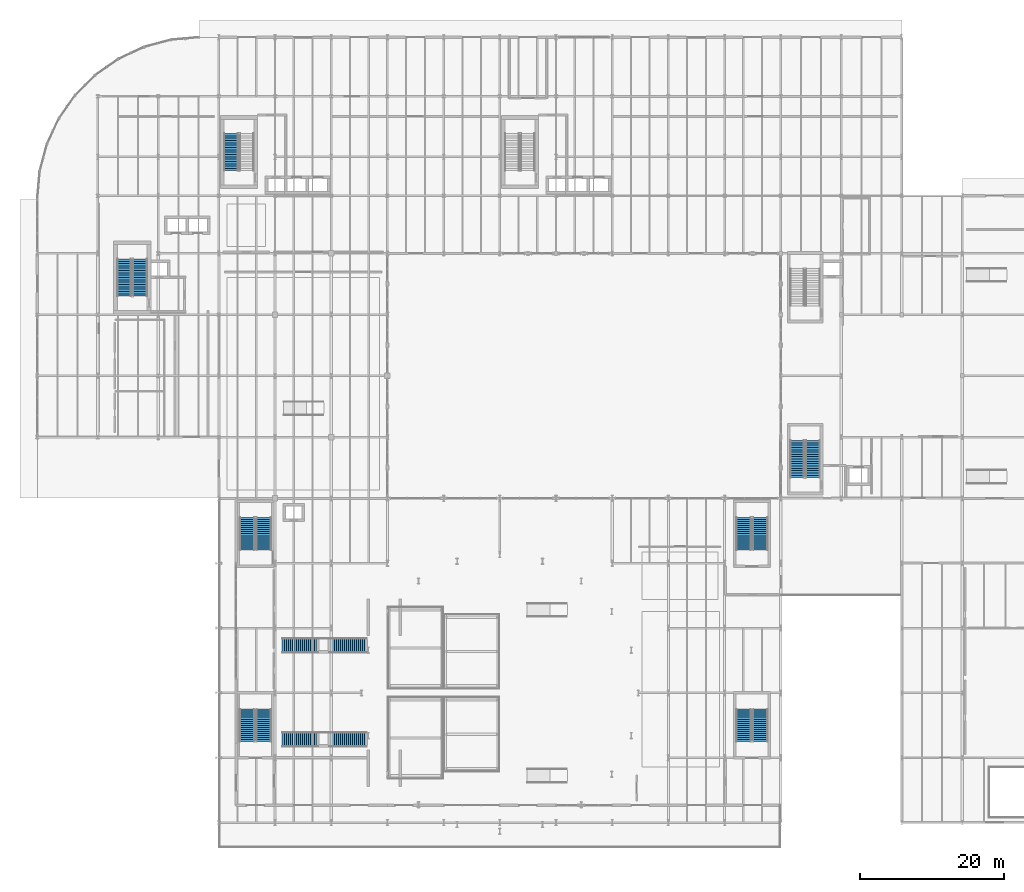
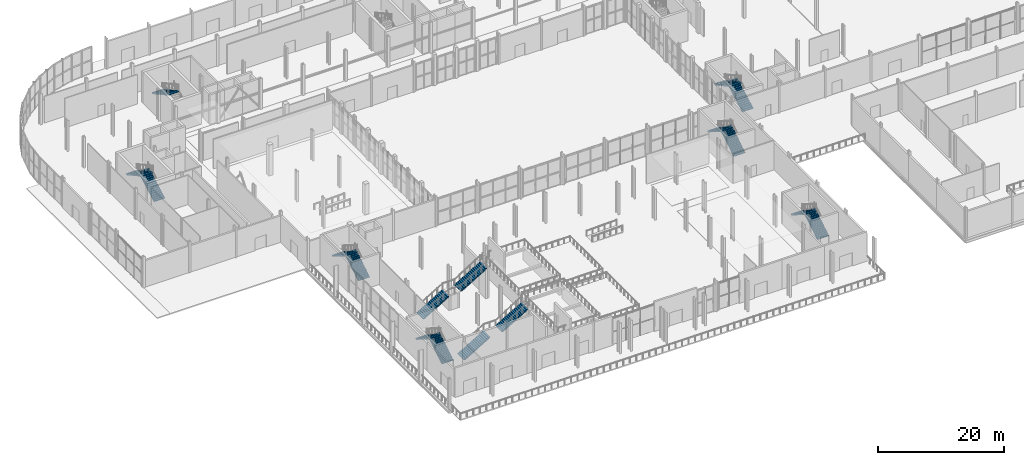
# One storey, part 64 of 84: 17 stair flights, 9 elements without a shape of their own.
"""IFC4 building model written with IfcOpenShell, lengths in metres."""

import ifcopenshell
import ifcopenshell.guid

model = None  # the IFC model being written
_history = None  # IfcOwnerHistory: only IFC2X3 demands one
_inside = {}  # id of a spatial element -> (the spatial element, [elements in it])
_under = {}  # id of a project, library or spatial element -> (it, [spatial elements below it])
_declared = {}  # id of a project -> (the project, [libraries it declares])
_typed = {}  # id of a type object -> (the type object, [elements of that type])
_made_of = {}  # id of a material, layer set ... -> (it, [elements and type objects made of it])


def new_model(schema):
    """Start an empty IFC model of exactly this schema.

    Asked for "IFC4X3", IfcOpenShell would pick the latest addendum, in which some entities
    have other attributes; the version numbers below select the first issue.
    IFC2X3 requires an IfcOwnerHistory on every rooted entity: one is made here for all.
    """
    global model, _history
    if schema == "IFC4X3":
        model = ifcopenshell.file(schema_version=(4, 3, 0, 0))
    else:
        model = ifcopenshell.file(schema=schema)
    _inside.clear()
    _under.clear()
    _declared.clear()
    _typed.clear()
    _made_of.clear()
    _history = None
    if model.schema == "IFC2X3":
        org = make("IfcOrganization", Name="unknown")
        user = make(
            "IfcPersonAndOrganization",
            ThePerson=make("IfcPerson", FamilyName="unknown"),
            TheOrganization=org,
        )
        app = make(
            "IfcApplication",
            ApplicationDeveloper=org,
            Version="unknown",
            ApplicationFullName="unknown",
            ApplicationIdentifier="unknown",
        )
        _history = make(
            "IfcOwnerHistory",
            OwningUser=user,
            OwningApplication=app,
            ChangeAction="ADDED",
            CreationDate=0,
        )
    return model


def make(cls, **values):
    """One entity of the class cls with the attributes given. An attribute that is None is left unset."""
    return model.create_entity(
        cls, **{name: value for name, value in values.items() if value is not None}
    )


def rooted(cls, **values):
    """An entity with a GlobalId (a new one), such as an element, a storey or a relation."""
    return make(cls, GlobalId=ifcopenshell.guid.new(), OwnerHistory=_history, **values)


def si_unit(unit_type, name, prefix=None):
    """IfcSIUnit, for example si_unit("LENGTHUNIT", "METRE", prefix="MILLI")."""
    return make("IfcSIUnit", UnitType=unit_type, Prefix=prefix, Name=name)


def assignment(units):
    """IfcUnitAssignment: the units of a project."""
    return None if units is None else make("IfcUnitAssignment", Units=units)


def point(xyz):
    """IfcCartesianPoint."""
    return None if xyz is None else make("IfcCartesianPoint", Coordinates=xyz)


def direction(xyz):
    """IfcDirection."""
    return None if xyz is None else make("IfcDirection", DirectionRatios=xyz)


def frame(location, z_axis=None, x_axis=None):
    """IfcAxis2Placement3D, a coordinate frame: its origin and axes. An axis left out is left unset."""
    return make(
        "IfcAxis2Placement3D",
        Location=point(location),
        Axis=direction(z_axis),
        RefDirection=direction(x_axis),
    )


def origin():
    """The frame at (0, 0, 0) with its axes left unset."""
    return frame((0.0, 0.0, 0.0))


def place(relative_to, where):
    """IfcLocalPlacement: puts the frame where relative to a parent placement (None: the world)."""
    return make(
        "IfcLocalPlacement", PlacementRelTo=relative_to, RelativePlacement=where
    )


def context(
    kind, dimensions, precision=None, world=None, true_north=None, identifier=None
):
    """IfcGeometricRepresentationContext, for example the 3D "Model" context."""
    return make(
        "IfcGeometricRepresentationContext",
        ContextIdentifier=identifier,
        ContextType=kind,
        CoordinateSpaceDimension=dimensions,
        Precision=precision,
        WorldCoordinateSystem=world,
        TrueNorth=true_north,
    )


def subcontext(parent, identifier, kind, view, scale=None):
    """IfcGeometricRepresentationSubContext, for example "Body" below "Model"."""
    return make(
        "IfcGeometricRepresentationSubContext",
        ContextIdentifier=identifier,
        ContextType=kind,
        ParentContext=parent,
        TargetScale=scale,
        TargetView=view,
    )


def project(units=None, contexts=None):
    """IfcProject with its units and contexts."""
    return rooted(
        "IfcProject",
        Name="project",
        RepresentationContexts=contexts,
        UnitsInContext=assignment(units),
    )


def spatial(cls, under=None, at=None, **own):
    """A site, building, storey or space (cls), placed at a placement, below another one or the project."""
    s = rooted(cls, ObjectPlacement=at, **own)
    if under is not None:
        _under.setdefault(under.id(), (under, []))[1].append(s)
    return s


def polyline(points):
    """IfcPolyline through the points."""
    return make("IfcPolyline", Points=[point(p) for p in points])


def outline(outer, holes=None, kind="AREA"):
    """IfcArbitraryClosedProfileDef: a profile drawn as a closed curve; with holes, ...WithVoids."""
    if holes is None:
        return make("IfcArbitraryClosedProfileDef", ProfileType=kind, OuterCurve=outer)
    return make(
        "IfcArbitraryProfileDefWithVoids",
        ProfileType=kind,
        OuterCurve=outer,
        InnerCurves=holes,
    )


def extrude(swept, where, along, depth):
    """IfcExtrudedAreaSolid: the profile swept, set in the frame where, extruded along a direction by depth."""
    return make(
        "IfcExtrudedAreaSolid",
        SweptArea=swept,
        Position=where,
        ExtrudedDirection=direction(along),
        Depth=depth,
    )


def shape(context_of_items, identifier, shape_type, items):
    """IfcShapeRepresentation: the items that make up one representation, for example the "Body"."""
    return make(
        "IfcShapeRepresentation",
        ContextOfItems=context_of_items,
        RepresentationIdentifier=identifier,
        RepresentationType=shape_type,
        Items=items,
    )


def material(Name=None, Category=None):
    """IfcMaterial."""
    return make("IfcMaterial", Name=Name, Category=Category)


def made_of(thing, what):
    """Note that an element or type object is made of a material, layer set ...; save() writes the relation."""
    if what is not None:
        _made_of.setdefault(what.id(), (what, []))[1].append(thing)
    return thing


def type_object(cls, material=None, **own):
    """A type object (cls), such as IfcWallType, which elements share."""
    return made_of(rooted(cls, **own), material)


def element(
    cls,
    number,
    at=None,
    inside=None,
    cuts=None,
    type_object=None,
    material=None,
    context=None,
    identifier="Body",
    shape_type=None,
    held_by="IfcProductDefinitionShape",
    body=None,
    shapes=None,
    **own,
):
    """One element of the class cls, such as IfcWall. Its Tag is "e" and its number.

    at: its placement. inside: the storey or other place that contains it. cuts: it is an
    opening in that element (IfcRelVoidsElement). A single representation is given by context,
    identifier, shape_type and body (its items); several are given by shapes. held_by: the class
    of the entity that holds the representations. save() writes the other relations.
    """
    e = rooted(cls, Tag="e%d" % number, ObjectPlacement=at, **own)
    if body is not None:
        shapes = [shape(context, identifier, shape_type, body)]
    if shapes is not None:
        e.Representation = make(held_by, Representations=shapes)
    if inside is not None:
        _inside.setdefault(inside.id(), (inside, []))[1].append(e)
    if cuts is not None:
        rooted(
            "IfcRelVoidsElement", RelatingBuildingElement=cuts, RelatedOpeningElement=e
        )
    if type_object is not None:
        _typed.setdefault(type_object.id(), (type_object, []))[1].append(e)
    return made_of(e, material)


def aggregate(whole, parts):
    """IfcRelAggregates: a whole, such as a stair, and the parts it consists of."""
    return rooted("IfcRelAggregates", RelatingObject=whole, RelatedObjects=parts)


def save(model, path):
    """Write the relations noted so far, then the file.

    IfcRelAggregates (storeys below a building ...), IfcRelContainedInSpatialStructure (elements
    in a storey), IfcRelDefinesByType, IfcRelAssociatesMaterial and IfcRelDeclares: one each for
    every whole, place, type object, material and project.
    """
    for whole, parts in _under.values():
        aggregate(whole, parts)
    for where, things in _inside.values():
        rooted(
            "IfcRelContainedInSpatialStructure",
            RelatedElements=things,
            RelatingStructure=where,
        )
    for kind, things in _typed.values():
        rooted("IfcRelDefinesByType", RelatedObjects=things, RelatingType=kind)
    for what, things in _made_of.values():
        rooted("IfcRelAssociatesMaterial", RelatedObjects=things, RelatingMaterial=what)
    for by, libraries in _declared.values():
        rooted("IfcRelDeclares", RelatingContext=by, RelatedDefinitions=libraries)
    model.write(path)


model = new_model("IFC4")

# Units and contexts
model_context = context("Model", 3, precision=1e-05, world=origin(), true_north=direction((0.0, 1.0)))
body_context = subcontext(model_context, "Body", "Model", "MODEL_VIEW")
ifc_project = project(units=[si_unit("LENGTHUNIT", "METRE"), si_unit("AREAUNIT", "SQUARE_METRE"), si_unit("VOLUMEUNIT", "CUBIC_METRE"), si_unit("PLANEANGLEUNIT", "RADIAN"), si_unit("MASSUNIT", "GRAM", prefix="KILO")], contexts=[model_context])

# Site, building, storey
site_placement = place(None, origin())
site = spatial("IfcSite", under=ifc_project, at=site_placement, CompositionType="ELEMENT")
building_placement = place(site_placement, origin())
building = spatial("IfcBuilding", under=site, at=building_placement, Name="Sefraquen Railside Congress Hotel", CompositionType="ELEMENT")
storey_placement = place(building_placement, origin())
storey = spatial("IfcBuildingStorey", under=building, at=storey_placement, Name="L00", CompositionType="ELEMENT", Elevation=0.0)

# Stair, stair flights
ifc_material = material(Name="Concrete C40/50", Category="concrete")
stair_type_1 = type_object("IfcStairType", Name="TST-DOG-198-360", PredefinedType="HALF_TURN_STAIR", material=ifc_material)
stair_1_placement = place(storey_placement, origin())
stair_1 = element("IfcStair", 1, at=stair_1_placement, inside=storey, type_object=stair_type_1, Name="L00 Pressurized escape stair ST-H01", PredefinedType="HALF_TURN_STAIR")
stair_flight_type_1 = type_object("IfcStairFlightType", Name="TSF-FLT-198-360", PredefinedType="STRAIGHT", material=ifc_material)
stair_flight_1_placement = place(storey_placement, frame((14.27001953125, 82.080078125, 0.0), z_axis=(0.0, 0.0, 1.0), x_axis=(0.0, 1.0, 0.0)))
stair_flight_1 = element("IfcStairFlight", 2, at=stair_flight_1_placement, type_object=stair_flight_type_1, Name="ST-H01 flight 1", NumberOfRisers=17, NumberOfTreads=16, PredefinedType="STRAIGHT", RiserHeight=0.176470588, TreadLength=0.322, context=body_context, shape_type="SweptSolid", body=[
    extrude(outline(polyline([(0.0, 0.0), (0.0, 0.176513671875), (0.322021484375, 0.176513671875), (0.322021484375, 0.35302734375), (0.64404296875, 0.35302734375), (0.64404296875, 0.529296875), (0.966064453125, 0.529296875), (0.966064453125, 0.705810546875), (1.2880859375, 0.705810546875), (1.2880859375, 0.88232421875), (1.610107421875, 0.88232421875), (1.610107421875, 1.058837890625), (1.931884765625, 1.058837890625), (1.931884765625, 1.2353515625), (2.25390625, 1.2353515625), (2.25390625, 1.411865234375), (2.575927734375, 1.411865234375), (2.575927734375, 1.588134765625), (2.89794921875, 1.588134765625), (2.89794921875, 1.7646484375), (3.219970703125, 1.7646484375), (3.219970703125, 1.941162109375), (3.5419921875, 1.941162109375), (3.5419921875, 2.11767578125), (3.864013671875, 2.11767578125), (3.864013671875, 2.294189453125), (4.18603515625, 2.294189453125), (4.18603515625, 2.470703125), (4.508056640625, 2.470703125), (4.508056640625, 2.64697265625), (4.830078125, 2.64697265625), (4.830078125, 2.823486328125), (5.152099609375, 2.823486328125), (5.152099609375, 3.0), (5.152099609375, 2.652587890625), (0.31201171875, 0.0), (0.0, 0.0)])), frame((0.0, 0.989990234375, 0.0), z_axis=(0.0, -1.0, 0.0), x_axis=(1.0, 0.0, 0.0)), (0.0, 0.0, 1.0), 1.97998046875),
])
stair_flight_2_placement = place(storey_placement, frame((12.090087890625, 87.23193359375, 3.0), z_axis=(0.0, 0.0, 1.0), x_axis=(0.0, -1.0, 0.0)))
stair_flight_2 = element("IfcStairFlight", 3, at=stair_flight_2_placement, type_object=stair_flight_type_1, Name="ST-H01 flight 2", NumberOfRisers=17, NumberOfTreads=16, PredefinedType="STRAIGHT", RiserHeight=0.176470588, TreadLength=0.322, context=body_context, shape_type="SweptSolid", body=[
    extrude(outline(polyline([(0.0, 0.0), (0.0, 0.176513671875), (0.322021484375, 0.176513671875), (0.322021484375, 0.35302734375), (0.64404296875, 0.35302734375), (0.64404296875, 0.529296875), (0.966064453125, 0.529296875), (0.966064453125, 0.705810546875), (1.2880859375, 0.705810546875), (1.2880859375, 0.88232421875), (1.610107421875, 0.88232421875), (1.610107421875, 1.058837890625), (1.931884765625, 1.058837890625), (1.931884765625, 1.2353515625), (2.25390625, 1.2353515625), (2.25390625, 1.411865234375), (2.575927734375, 1.411865234375), (2.575927734375, 1.588134765625), (2.89794921875, 1.588134765625), (2.89794921875, 1.7646484375), (3.219970703125, 1.7646484375), (3.219970703125, 1.941162109375), (3.5419921875, 1.941162109375), (3.5419921875, 2.11767578125), (3.864013671875, 2.11767578125), (3.864013671875, 2.294189453125), (4.18603515625, 2.294189453125), (4.18603515625, 2.470703125), (4.508056640625, 2.470703125), (4.508056640625, 2.64697265625), (4.830078125, 2.64697265625), (4.830078125, 2.823486328125), (5.152099609375, 2.823486328125), (5.152099609375, 3.0), (5.152099609375, 2.652587890625), (0.31201171875, 0.0), (0.0, 0.0)])), frame((0.0, 0.989990234375, 0.0), z_axis=(0.0, -1.0, 0.0), x_axis=(1.0, 0.0, 0.0)), (0.0, 0.0, 1.0), 1.97998046875),
])
aggregate(stair_1, [stair_flight_1, stair_flight_2])

# Stair, stair flight
stair_type_2 = type_object("IfcStairType", Name="TST-DOG-198-420", PredefinedType="HALF_TURN_STAIR", material=ifc_material)
stair_2_placement = place(storey_placement, origin())
stair_2 = element("IfcStair", 4, at=stair_2_placement, inside=storey, type_object=stair_type_2, Name="L00 Pressurized escape stair ST-H02", PredefinedType="HALF_TURN_STAIR")
stair_flight_type_2 = type_object("IfcStairFlightType", Name="TSF-FLT-198-420", PredefinedType="STRAIGHT", material=ifc_material)
stair_flight_3_placement = place(storey_placement, frame((26.889892578125, 104.632080078125, 3.0), z_axis=(0.0, 0.0, 1.0), x_axis=(0.0, -1.0, 0.0)))
stair_flight_3 = element("IfcStairFlight", 5, at=stair_flight_3_placement, type_object=stair_flight_type_2, Name="ST-H02 flight 2", NumberOfRisers=17, NumberOfTreads=16, PredefinedType="STRAIGHT", RiserHeight=0.176470588, TreadLength=0.322, context=body_context, shape_type="SweptSolid", body=[
    extrude(outline(polyline([(0.0, 0.0), (0.0, 0.176513671875), (0.322021484375, 0.176513671875), (0.322021484375, 0.35302734375), (0.64404296875, 0.35302734375), (0.64404296875, 0.529296875), (0.966064453125, 0.529296875), (0.966064453125, 0.705810546875), (1.2880859375, 0.705810546875), (1.2880859375, 0.88232421875), (1.610107421875, 0.88232421875), (1.610107421875, 1.058837890625), (1.931884765625, 1.058837890625), (1.931884765625, 1.2353515625), (2.25390625, 1.2353515625), (2.25390625, 1.411865234375), (2.575927734375, 1.411865234375), (2.575927734375, 1.588134765625), (2.89794921875, 1.588134765625), (2.89794921875, 1.7646484375), (3.219970703125, 1.7646484375), (3.219970703125, 1.941162109375), (3.5419921875, 1.941162109375), (3.5419921875, 2.11767578125), (3.864013671875, 2.11767578125), (3.864013671875, 2.294189453125), (4.18603515625, 2.294189453125), (4.18603515625, 2.470703125), (4.508056640625, 2.470703125), (4.508056640625, 2.64697265625), (4.830078125, 2.64697265625), (4.830078125, 2.823486328125), (5.152099609375, 2.823486328125), (5.152099609375, 3.0), (5.152099609375, 2.652587890625), (0.31201171875, 0.0), (0.0, 0.0)])), frame((0.0, 0.989990234375, 0.0), z_axis=(0.0, -1.0, 0.0), x_axis=(1.0, 0.0, 0.0)), (0.0, 0.0, 1.0), 1.97998046875),
])
aggregate(stair_2, [stair_flight_3])

# Stair, stair flights
stair_type_3 = type_object("IfcStairType", Name="TST-DOG-198-540", PredefinedType="HALF_TURN_STAIR", material=ifc_material)
stair_3_placement = place(storey_placement, origin())
stair_3 = element("IfcStair", 6, at=stair_3_placement, inside=storey, type_object=stair_type_3, Name="L00 Pressurized escape stair ST-M02", PredefinedType="HALF_TURN_STAIR")
stair_flight_type_3 = type_object("IfcStairFlightType", Name="TSF-FLT-198-540", PredefinedType="STRAIGHT", material=ifc_material)
stair_flight_4_placement = place(storey_placement, frame((107.669921875, 56.8798828125, 0.0), z_axis=(0.0, 0.0, 1.0), x_axis=(0.0, 1.0, 0.0)))
stair_flight_4 = element("IfcStairFlight", 7, at=stair_flight_4_placement, type_object=stair_flight_type_3, Name="ST-M02 flight 1", NumberOfRisers=17, NumberOfTreads=16, PredefinedType="STRAIGHT", RiserHeight=0.176470588, TreadLength=0.322, context=body_context, shape_type="SweptSolid", body=[
    extrude(outline(polyline([(0.0, 0.0), (0.0, 0.176513671875), (0.322021484375, 0.176513671875), (0.322021484375, 0.35302734375), (0.64404296875, 0.35302734375), (0.64404296875, 0.529296875), (0.966064453125, 0.529296875), (0.966064453125, 0.705810546875), (1.2880859375, 0.705810546875), (1.2880859375, 0.88232421875), (1.610107421875, 0.88232421875), (1.610107421875, 1.058837890625), (1.931884765625, 1.058837890625), (1.931884765625, 1.2353515625), (2.25390625, 1.2353515625), (2.25390625, 1.411865234375), (2.575927734375, 1.411865234375), (2.575927734375, 1.588134765625), (2.89794921875, 1.588134765625), (2.89794921875, 1.7646484375), (3.219970703125, 1.7646484375), (3.219970703125, 1.941162109375), (3.5419921875, 1.941162109375), (3.5419921875, 2.11767578125), (3.864013671875, 2.11767578125), (3.864013671875, 2.294189453125), (4.18603515625, 2.294189453125), (4.18603515625, 2.470703125), (4.508056640625, 2.470703125), (4.508056640625, 2.64697265625), (4.830078125, 2.64697265625), (4.830078125, 2.823486328125), (5.152099609375, 2.823486328125), (5.152099609375, 3.0), (5.152099609375, 2.652587890625), (0.31201171875, 0.0), (0.0, 0.0)])), frame((0.0, 0.989990234375, 0.0), z_axis=(0.0, -1.0, 0.0), x_axis=(1.0, 0.0, 0.0)), (0.0, 0.0, 1.0), 1.97998046875),
])
stair_flight_5_placement = place(storey_placement, frame((105.489990234375, 62.031982421875, 3.0), z_axis=(0.0, 0.0, 1.0), x_axis=(0.0, -1.0, 0.0)))
stair_flight_5 = element("IfcStairFlight", 8, at=stair_flight_5_placement, type_object=stair_flight_type_3, Name="ST-M02 flight 2", NumberOfRisers=17, NumberOfTreads=16, PredefinedType="STRAIGHT", RiserHeight=0.176470588, TreadLength=0.322, context=body_context, shape_type="SweptSolid", body=[
    extrude(outline(polyline([(0.0, 0.0), (0.0, 0.176513671875), (0.322021484375, 0.176513671875), (0.322021484375, 0.35302734375), (0.64404296875, 0.35302734375), (0.64404296875, 0.529296875), (0.966064453125, 0.529296875), (0.966064453125, 0.705810546875), (1.2880859375, 0.705810546875), (1.2880859375, 0.88232421875), (1.610107421875, 0.88232421875), (1.610107421875, 1.058837890625), (1.931884765625, 1.058837890625), (1.931884765625, 1.2353515625), (2.25390625, 1.2353515625), (2.25390625, 1.411865234375), (2.575927734375, 1.411865234375), (2.575927734375, 1.588134765625), (2.89794921875, 1.588134765625), (2.89794921875, 1.7646484375), (3.219970703125, 1.7646484375), (3.219970703125, 1.941162109375), (3.5419921875, 1.941162109375), (3.5419921875, 2.11767578125), (3.864013671875, 2.11767578125), (3.864013671875, 2.294189453125), (4.18603515625, 2.294189453125), (4.18603515625, 2.470703125), (4.508056640625, 2.470703125), (4.508056640625, 2.64697265625), (4.830078125, 2.64697265625), (4.830078125, 2.823486328125), (5.152099609375, 2.823486328125), (5.152099609375, 3.0), (5.152099609375, 2.652587890625), (0.31201171875, 0.0), (0.0, 0.0)])), frame((0.0, 0.989990234375, 0.0), z_axis=(0.0, -1.0, 0.0), x_axis=(1.0, 0.0, 0.0)), (0.0, 0.0, 1.0), 1.97998046875),
])
aggregate(stair_3, [stair_flight_4, stair_flight_5])

stair_type_4 = type_object("IfcStairType", Name="TST-STR-205-600", PredefinedType="STRAIGHT_RUN_STAIR", material=ifc_material)
stair_4_placement = place(storey_placement, origin())
stair_4 = element("IfcStair", 9, at=stair_4_placement, inside=storey, type_object=stair_type_4, Name="Congress Hall Vomitory Stair 1", PredefinedType="STRAIGHT_RUN_STAIR")
stair_flight_type_4 = type_object("IfcStairFlightType", Name="TSF-FLT-205-600", PredefinedType="STRAIGHT", material=ifc_material)
stair_flight_6_placement = place(storey_placement, frame((34.0, 20.52490234375, 0.0), z_axis=(0.0, 0.0, 1.0), x_axis=(1.0, 0.0, 0.0)))
stair_flight_6 = element("IfcStairFlight", 10, at=stair_flight_6_placement, type_object=stair_flight_type_4, Name="Congress Hall Vomitory Stair 1 lower flight", NumberOfRisers=18, NumberOfTreads=17, PredefinedType="STRAIGHT", RiserHeight=0.166667, TreadLength=0.28, context=body_context, shape_type="SweptSolid", body=[
    extrude(outline(polyline([(0.0, 0.0), (0.0, 0.166748046875), (0.280029296875, 0.166748046875), (0.280029296875, 0.333251953125), (0.56005859375, 0.333251953125), (0.56005859375, 0.5), (0.840087890625, 0.5), (0.840087890625, 0.666748046875), (1.1201171875, 0.666748046875), (1.1201171875, 0.833251953125), (1.39990234375, 0.833251953125), (1.39990234375, 1.0), (1.679931640625, 1.0), (1.679931640625, 1.166748046875), (1.9599609375, 1.166748046875), (1.9599609375, 1.333251953125), (2.239990234375, 1.333251953125), (2.239990234375, 1.5), (2.52001953125, 1.5), (2.52001953125, 1.666748046875), (2.800048828125, 1.666748046875), (2.800048828125, 1.833251953125), (3.080078125, 1.833251953125), (3.080078125, 2.0), (3.360107421875, 2.0), (3.360107421875, 2.166748046875), (3.639892578125, 2.166748046875), (3.639892578125, 2.333251953125), (3.919921875, 2.333251953125), (3.919921875, 2.5), (4.199951171875, 2.5), (4.199951171875, 2.666748046875), (4.47998046875, 2.666748046875), (4.47998046875, 2.833251953125), (4.760009765625, 2.833251953125), (4.760009765625, 3.0), (4.760009765625, 2.647216796875), (0.312744140625, 0.0), (0.0, 0.0)])), frame((0.0, 1.02490234375, 0.0), z_axis=(0.0, -1.0, 0.0), x_axis=(1.0, 0.0, 0.0)), (0.0, 0.0, 1.0), 2.050048828125),
])
stair_flight_7_placement = place(storey_placement, frame((40.93994140625, 20.52490234375, 3.0), z_axis=(0.0, 0.0, 1.0), x_axis=(1.0, 0.0, 0.0)))
stair_flight_7 = element("IfcStairFlight", 11, at=stair_flight_7_placement, type_object=stair_flight_type_4, Name="Congress Hall Vomitory Stair 1 upper flight", NumberOfRisers=18, NumberOfTreads=17, PredefinedType="STRAIGHT", RiserHeight=0.166667, TreadLength=0.28, context=body_context, shape_type="SweptSolid", body=[
    extrude(outline(polyline([(0.0, 0.0), (0.0, 0.166748046875), (0.280029296875, 0.166748046875), (0.280029296875, 0.333251953125), (0.56005859375, 0.333251953125), (0.56005859375, 0.5), (0.840087890625, 0.5), (0.840087890625, 0.666748046875), (1.1201171875, 0.666748046875), (1.1201171875, 0.833251953125), (1.39990234375, 0.833251953125), (1.39990234375, 1.0), (1.679931640625, 1.0), (1.679931640625, 1.166748046875), (1.9599609375, 1.166748046875), (1.9599609375, 1.333251953125), (2.239990234375, 1.333251953125), (2.239990234375, 1.5), (2.52001953125, 1.5), (2.52001953125, 1.666748046875), (2.800048828125, 1.666748046875), (2.800048828125, 1.833251953125), (3.080078125, 1.833251953125), (3.080078125, 2.0), (3.360107421875, 2.0), (3.360107421875, 2.166748046875), (3.639892578125, 2.166748046875), (3.639892578125, 2.333251953125), (3.919921875, 2.333251953125), (3.919921875, 2.5), (4.199951171875, 2.5), (4.199951171875, 2.666748046875), (4.47998046875, 2.666748046875), (4.47998046875, 2.833251953125), (4.760009765625, 2.833251953125), (4.760009765625, 3.0), (4.760009765625, 2.647216796875), (0.312744140625, 0.0), (0.0, 0.0)])), frame((0.0, 1.02490234375, 0.0), z_axis=(0.0, -1.0, 0.0), x_axis=(1.0, 0.0, 0.0)), (0.0, 0.0, 1.0), 2.050048828125),
])
aggregate(stair_4, [stair_flight_6, stair_flight_7])

stair_5_placement = place(storey_placement, origin())
stair_5 = element("IfcStair", 12, at=stair_5_placement, inside=storey, type_object=stair_type_4, Name="Congress Hall Vomitory Stair 2", PredefinedType="STRAIGHT_RUN_STAIR")
stair_flight_8_placement = place(storey_placement, frame((34.0, 33.574951171875, 0.0), z_axis=(0.0, 0.0, 1.0), x_axis=(1.0, 0.0, 0.0)))
stair_flight_8 = element("IfcStairFlight", 13, at=stair_flight_8_placement, type_object=stair_flight_type_4, Name="Congress Hall Vomitory Stair 2 lower flight", NumberOfRisers=18, NumberOfTreads=17, PredefinedType="STRAIGHT", RiserHeight=0.166667, TreadLength=0.28, context=body_context, shape_type="SweptSolid", body=[
    extrude(outline(polyline([(0.0, 0.0), (0.0, 0.166748046875), (0.280029296875, 0.166748046875), (0.280029296875, 0.333251953125), (0.56005859375, 0.333251953125), (0.56005859375, 0.5), (0.840087890625, 0.5), (0.840087890625, 0.666748046875), (1.1201171875, 0.666748046875), (1.1201171875, 0.833251953125), (1.39990234375, 0.833251953125), (1.39990234375, 1.0), (1.679931640625, 1.0), (1.679931640625, 1.166748046875), (1.9599609375, 1.166748046875), (1.9599609375, 1.333251953125), (2.239990234375, 1.333251953125), (2.239990234375, 1.5), (2.52001953125, 1.5), (2.52001953125, 1.666748046875), (2.800048828125, 1.666748046875), (2.800048828125, 1.833251953125), (3.080078125, 1.833251953125), (3.080078125, 2.0), (3.360107421875, 2.0), (3.360107421875, 2.166748046875), (3.639892578125, 2.166748046875), (3.639892578125, 2.333251953125), (3.919921875, 2.333251953125), (3.919921875, 2.5), (4.199951171875, 2.5), (4.199951171875, 2.666748046875), (4.47998046875, 2.666748046875), (4.47998046875, 2.833251953125), (4.760009765625, 2.833251953125), (4.760009765625, 3.0), (4.760009765625, 2.647216796875), (0.312744140625, 0.0), (0.0, 0.0)])), frame((0.0, 1.02490234375, 0.0), z_axis=(0.0, -1.0, 0.0), x_axis=(1.0, 0.0, 0.0)), (0.0, 0.0, 1.0), 2.050048828125),
])
stair_flight_9_placement = place(storey_placement, frame((40.93994140625, 33.574951171875, 3.0), z_axis=(0.0, 0.0, 1.0), x_axis=(1.0, 0.0, 0.0)))
stair_flight_9 = element("IfcStairFlight", 14, at=stair_flight_9_placement, type_object=stair_flight_type_4, Name="Congress Hall Vomitory Stair 2 upper flight", NumberOfRisers=18, NumberOfTreads=17, PredefinedType="STRAIGHT", RiserHeight=0.166667, TreadLength=0.28, context=body_context, shape_type="SweptSolid", body=[
    extrude(outline(polyline([(0.0, 0.0), (0.0, 0.166748046875), (0.280029296875, 0.166748046875), (0.280029296875, 0.333251953125), (0.56005859375, 0.333251953125), (0.56005859375, 0.5), (0.840087890625, 0.5), (0.840087890625, 0.666748046875), (1.1201171875, 0.666748046875), (1.1201171875, 0.833251953125), (1.39990234375, 0.833251953125), (1.39990234375, 1.0), (1.679931640625, 1.0), (1.679931640625, 1.166748046875), (1.9599609375, 1.166748046875), (1.9599609375, 1.333251953125), (2.239990234375, 1.333251953125), (2.239990234375, 1.5), (2.52001953125, 1.5), (2.52001953125, 1.666748046875), (2.800048828125, 1.666748046875), (2.800048828125, 1.833251953125), (3.080078125, 1.833251953125), (3.080078125, 2.0), (3.360107421875, 2.0), (3.360107421875, 2.166748046875), (3.639892578125, 2.166748046875), (3.639892578125, 2.333251953125), (3.919921875, 2.333251953125), (3.919921875, 2.5), (4.199951171875, 2.5), (4.199951171875, 2.666748046875), (4.47998046875, 2.666748046875), (4.47998046875, 2.833251953125), (4.760009765625, 2.833251953125), (4.760009765625, 3.0), (4.760009765625, 2.647216796875), (0.312744140625, 0.0), (0.0, 0.0)])), frame((0.0, 1.02490234375, 0.0), z_axis=(0.0, -1.0, 0.0), x_axis=(1.0, 0.0, 0.0)), (0.0, 0.0, 1.0), 2.050048828125),
])
aggregate(stair_5, [stair_flight_8, stair_flight_9])

stair_type_5 = type_object("IfcStairType", Name="TST-DOG-210-450", PredefinedType="HALF_TURN_STAIR", material=ifc_material)
stair_6_placement = place(storey_placement, origin())
stair_6 = element("IfcStair", 15, at=stair_6_placement, inside=storey, type_object=stair_type_5, Name="L00 Pressurized escape stair ST-C04", PredefinedType="HALF_TURN_STAIR")
stair_flight_type_5 = type_object("IfcStairFlightType", Name="TSF-FLT-210-450", PredefinedType="STRAIGHT", material=ifc_material)
stair_flight_10_placement = place(storey_placement, frame((100.35009765625, 46.85009765625, 0.0), z_axis=(0.0, 0.0, 1.0), x_axis=(0.0, 1.0, 0.0)))
stair_flight_10 = element("IfcStairFlight", 16, at=stair_flight_10_placement, type_object=stair_flight_type_5, Name="ST-C04 flight 1", NumberOfRisers=17, NumberOfTreads=16, PredefinedType="STRAIGHT", RiserHeight=0.176470588, TreadLength=0.28, context=body_context, shape_type="SweptSolid", body=[
    extrude(outline(polyline([(0.0, 0.0), (0.0, 0.176513671875), (0.280029296875, 0.176513671875), (0.280029296875, 0.35302734375), (0.56005859375, 0.35302734375), (0.56005859375, 0.529296875), (0.840087890625, 0.529296875), (0.840087890625, 0.705810546875), (1.1201171875, 0.705810546875), (1.1201171875, 0.88232421875), (1.39990234375, 0.88232421875), (1.39990234375, 1.058837890625), (1.679931640625, 1.058837890625), (1.679931640625, 1.2353515625), (1.9599609375, 1.2353515625), (1.9599609375, 1.411865234375), (2.239990234375, 1.411865234375), (2.239990234375, 1.588134765625), (2.52001953125, 1.588134765625), (2.52001953125, 1.7646484375), (2.800048828125, 1.7646484375), (2.800048828125, 1.941162109375), (3.080078125, 1.941162109375), (3.080078125, 2.11767578125), (3.360107421875, 2.11767578125), (3.360107421875, 2.294189453125), (3.639892578125, 2.294189453125), (3.639892578125, 2.470703125), (3.919921875, 2.470703125), (3.919921875, 2.64697265625), (4.199951171875, 2.64697265625), (4.199951171875, 2.823486328125), (4.47998046875, 2.823486328125), (4.47998046875, 3.0), (4.47998046875, 2.646240234375), (0.28125, 0.0), (0.0, 0.0)])), frame((0.0, 1.050048828125, 0.0), z_axis=(0.0, -1.0, 0.0), x_axis=(1.0, 0.0, 0.0)), (0.0, 0.0, 1.0), 2.10009765625),
])
stair_flight_11_placement = place(storey_placement, frame((98.050048828125, 51.330078125, 3.0), z_axis=(0.0, 0.0, 1.0), x_axis=(0.0, -1.0, 0.0)))
stair_flight_11 = element("IfcStairFlight", 17, at=stair_flight_11_placement, type_object=stair_flight_type_5, Name="ST-C04 flight 2", NumberOfRisers=17, NumberOfTreads=16, PredefinedType="STRAIGHT", RiserHeight=0.176470588, TreadLength=0.28, context=body_context, shape_type="SweptSolid", body=[
    extrude(outline(polyline([(0.0, 0.0), (0.0, 0.176513671875), (0.280029296875, 0.176513671875), (0.280029296875, 0.35302734375), (0.56005859375, 0.35302734375), (0.56005859375, 0.529296875), (0.840087890625, 0.529296875), (0.840087890625, 0.705810546875), (1.1201171875, 0.705810546875), (1.1201171875, 0.88232421875), (1.39990234375, 0.88232421875), (1.39990234375, 1.058837890625), (1.679931640625, 1.058837890625), (1.679931640625, 1.2353515625), (1.9599609375, 1.2353515625), (1.9599609375, 1.411865234375), (2.239990234375, 1.411865234375), (2.239990234375, 1.588134765625), (2.52001953125, 1.588134765625), (2.52001953125, 1.7646484375), (2.800048828125, 1.7646484375), (2.800048828125, 1.941162109375), (3.080078125, 1.941162109375), (3.080078125, 2.11767578125), (3.360107421875, 2.11767578125), (3.360107421875, 2.294189453125), (3.639892578125, 2.294189453125), (3.639892578125, 2.470703125), (3.919921875, 2.470703125), (3.919921875, 2.64697265625), (4.199951171875, 2.64697265625), (4.199951171875, 2.823486328125), (4.47998046875, 2.823486328125), (4.47998046875, 3.0), (4.47998046875, 2.646240234375), (0.28125, 0.0), (0.0, 0.0)])), frame((0.0, 1.050048828125, 0.0), z_axis=(0.0, -1.0, 0.0), x_axis=(1.0, 0.0, 0.0)), (0.0, 0.0, 1.0), 2.10009765625),
])
aggregate(stair_6, [stair_flight_10, stair_flight_11])

stair_type_6 = type_object("IfcStairType", Name="TST-DOG-210-480", PredefinedType="HALF_TURN_STAIR", material=ifc_material)
stair_7_placement = place(storey_placement, origin())
stair_7 = element("IfcStair", 18, at=stair_7_placement, inside=storey, type_object=stair_type_6, Name="L00 Pressurized escape stair ST-C03", PredefinedType="HALF_TURN_STAIR")
stair_flight_type_6 = type_object("IfcStairFlightType", Name="TSF-FLT-210-480", PredefinedType="STRAIGHT", material=ifc_material)
stair_flight_12_placement = place(storey_placement, frame((100.35009765625, 20.260009765625, 0.0), z_axis=(0.0, 0.0, 1.0), x_axis=(0.0, 1.0, 0.0)))
stair_flight_12 = element("IfcStairFlight", 19, at=stair_flight_12_placement, type_object=stair_flight_type_6, Name="ST-C03 flight 1", NumberOfRisers=17, NumberOfTreads=16, PredefinedType="STRAIGHT", RiserHeight=0.176470588, TreadLength=0.28, context=body_context, shape_type="SweptSolid", body=[
    extrude(outline(polyline([(0.0, 0.0), (0.0, 0.176513671875), (0.280029296875, 0.176513671875), (0.280029296875, 0.35302734375), (0.56005859375, 0.35302734375), (0.56005859375, 0.529296875), (0.840087890625, 0.529296875), (0.840087890625, 0.705810546875), (1.1201171875, 0.705810546875), (1.1201171875, 0.88232421875), (1.39990234375, 0.88232421875), (1.39990234375, 1.058837890625), (1.679931640625, 1.058837890625), (1.679931640625, 1.2353515625), (1.9599609375, 1.2353515625), (1.9599609375, 1.411865234375), (2.239990234375, 1.411865234375), (2.239990234375, 1.588134765625), (2.52001953125, 1.588134765625), (2.52001953125, 1.7646484375), (2.800048828125, 1.7646484375), (2.800048828125, 1.941162109375), (3.080078125, 1.941162109375), (3.080078125, 2.11767578125), (3.360107421875, 2.11767578125), (3.360107421875, 2.294189453125), (3.639892578125, 2.294189453125), (3.639892578125, 2.470703125), (3.919921875, 2.470703125), (3.919921875, 2.64697265625), (4.199951171875, 2.64697265625), (4.199951171875, 2.823486328125), (4.47998046875, 2.823486328125), (4.47998046875, 3.0), (4.47998046875, 2.646240234375), (0.28125, 0.0), (0.0, 0.0)])), frame((0.0, 1.050048828125, 0.0), z_axis=(0.0, -1.0, 0.0), x_axis=(1.0, 0.0, 0.0)), (0.0, 0.0, 1.0), 2.10009765625),
])
stair_flight_13_placement = place(storey_placement, frame((98.050048828125, 24.739990234375, 3.0), z_axis=(0.0, 0.0, 1.0), x_axis=(0.0, -1.0, 0.0)))
stair_flight_13 = element("IfcStairFlight", 20, at=stair_flight_13_placement, type_object=stair_flight_type_6, Name="ST-C03 flight 2", NumberOfRisers=17, NumberOfTreads=16, PredefinedType="STRAIGHT", RiserHeight=0.176470588, TreadLength=0.28, context=body_context, shape_type="SweptSolid", body=[
    extrude(outline(polyline([(0.0, 0.0), (0.0, 0.176513671875), (0.280029296875, 0.176513671875), (0.280029296875, 0.35302734375), (0.56005859375, 0.35302734375), (0.56005859375, 0.529296875), (0.840087890625, 0.529296875), (0.840087890625, 0.705810546875), (1.1201171875, 0.705810546875), (1.1201171875, 0.88232421875), (1.39990234375, 0.88232421875), (1.39990234375, 1.058837890625), (1.679931640625, 1.058837890625), (1.679931640625, 1.2353515625), (1.9599609375, 1.2353515625), (1.9599609375, 1.411865234375), (2.239990234375, 1.411865234375), (2.239990234375, 1.588134765625), (2.52001953125, 1.588134765625), (2.52001953125, 1.7646484375), (2.800048828125, 1.7646484375), (2.800048828125, 1.941162109375), (3.080078125, 1.941162109375), (3.080078125, 2.11767578125), (3.360107421875, 2.11767578125), (3.360107421875, 2.294189453125), (3.639892578125, 2.294189453125), (3.639892578125, 2.470703125), (3.919921875, 2.470703125), (3.919921875, 2.64697265625), (4.199951171875, 2.64697265625), (4.199951171875, 2.823486328125), (4.47998046875, 2.823486328125), (4.47998046875, 3.0), (4.47998046875, 2.646240234375), (0.28125, 0.0), (0.0, 0.0)])), frame((0.0, 1.050048828125, 0.0), z_axis=(0.0, -1.0, 0.0), x_axis=(1.0, 0.0, 0.0)), (0.0, 0.0, 1.0), 2.10009765625),
])
aggregate(stair_7, [stair_flight_12, stair_flight_13])

stair_type_7 = type_object("IfcStairType", Name="TST-DOG-210-540", PredefinedType="HALF_TURN_STAIR", material=ifc_material)
stair_8_placement = place(storey_placement, origin())
stair_8 = element("IfcStair", 21, at=stair_8_placement, inside=storey, type_object=stair_type_7, Name="L00 Pressurized escape stair ST-C02", PredefinedType="HALF_TURN_STAIR")
stair_flight_type_7 = type_object("IfcStairFlightType", Name="TSF-FLT-210-540", PredefinedType="STRAIGHT", material=ifc_material)
stair_flight_14_placement = place(storey_placement, frame((31.449951171875, 46.85009765625, 0.0), z_axis=(0.0, 0.0, 1.0), x_axis=(0.0, 1.0, 0.0)))
stair_flight_14 = element("IfcStairFlight", 22, at=stair_flight_14_placement, type_object=stair_flight_type_7, Name="ST-C02 flight 1", NumberOfRisers=17, NumberOfTreads=16, PredefinedType="STRAIGHT", RiserHeight=0.176470588, TreadLength=0.28, context=body_context, shape_type="SweptSolid", body=[
    extrude(outline(polyline([(0.0, 0.0), (0.0, 0.176513671875), (0.280029296875, 0.176513671875), (0.280029296875, 0.35302734375), (0.56005859375, 0.35302734375), (0.56005859375, 0.529296875), (0.840087890625, 0.529296875), (0.840087890625, 0.705810546875), (1.1201171875, 0.705810546875), (1.1201171875, 0.88232421875), (1.39990234375, 0.88232421875), (1.39990234375, 1.058837890625), (1.679931640625, 1.058837890625), (1.679931640625, 1.2353515625), (1.9599609375, 1.2353515625), (1.9599609375, 1.411865234375), (2.239990234375, 1.411865234375), (2.239990234375, 1.588134765625), (2.52001953125, 1.588134765625), (2.52001953125, 1.7646484375), (2.800048828125, 1.7646484375), (2.800048828125, 1.941162109375), (3.080078125, 1.941162109375), (3.080078125, 2.11767578125), (3.360107421875, 2.11767578125), (3.360107421875, 2.294189453125), (3.639892578125, 2.294189453125), (3.639892578125, 2.470703125), (3.919921875, 2.470703125), (3.919921875, 2.64697265625), (4.199951171875, 2.64697265625), (4.199951171875, 2.823486328125), (4.47998046875, 2.823486328125), (4.47998046875, 3.0), (4.47998046875, 2.646240234375), (0.28125, 0.0), (0.0, 0.0)])), frame((0.0, 1.050048828125, 0.0), z_axis=(0.0, -1.0, 0.0), x_axis=(1.0, 0.0, 0.0)), (0.0, 0.0, 1.0), 2.10009765625),
])
stair_flight_15_placement = place(storey_placement, frame((29.14990234375, 51.330078125, 3.0), z_axis=(0.0, 0.0, 1.0), x_axis=(0.0, -1.0, 0.0)))
stair_flight_15 = element("IfcStairFlight", 23, at=stair_flight_15_placement, type_object=stair_flight_type_7, Name="ST-C02 flight 2", NumberOfRisers=17, NumberOfTreads=16, PredefinedType="STRAIGHT", RiserHeight=0.176470588, TreadLength=0.28, context=body_context, shape_type="SweptSolid", body=[
    extrude(outline(polyline([(0.0, 0.0), (0.0, 0.176513671875), (0.280029296875, 0.176513671875), (0.280029296875, 0.35302734375), (0.56005859375, 0.35302734375), (0.56005859375, 0.529296875), (0.840087890625, 0.529296875), (0.840087890625, 0.705810546875), (1.1201171875, 0.705810546875), (1.1201171875, 0.88232421875), (1.39990234375, 0.88232421875), (1.39990234375, 1.058837890625), (1.679931640625, 1.058837890625), (1.679931640625, 1.2353515625), (1.9599609375, 1.2353515625), (1.9599609375, 1.411865234375), (2.239990234375, 1.411865234375), (2.239990234375, 1.588134765625), (2.52001953125, 1.588134765625), (2.52001953125, 1.7646484375), (2.800048828125, 1.7646484375), (2.800048828125, 1.941162109375), (3.080078125, 1.941162109375), (3.080078125, 2.11767578125), (3.360107421875, 2.11767578125), (3.360107421875, 2.294189453125), (3.639892578125, 2.294189453125), (3.639892578125, 2.470703125), (3.919921875, 2.470703125), (3.919921875, 2.64697265625), (4.199951171875, 2.64697265625), (4.199951171875, 2.823486328125), (4.47998046875, 2.823486328125), (4.47998046875, 3.0), (4.47998046875, 2.646240234375), (0.28125, 0.0), (0.0, 0.0)])), frame((0.0, 1.050048828125, 0.0), z_axis=(0.0, -1.0, 0.0), x_axis=(1.0, 0.0, 0.0)), (0.0, 0.0, 1.0), 2.10009765625),
])
aggregate(stair_8, [stair_flight_14, stair_flight_15])

stair_type_8 = type_object("IfcStairType", Name="TST-DOG-210-600", PredefinedType="HALF_TURN_STAIR", material=ifc_material)
stair_9_placement = place(storey_placement, origin())
stair_9 = element("IfcStair", 24, at=stair_9_placement, inside=storey, type_object=stair_type_8, Name="L00 Pressurized escape stair ST-C01", PredefinedType="HALF_TURN_STAIR")
stair_flight_type_8 = type_object("IfcStairFlightType", Name="TSF-FLT-210-600", PredefinedType="STRAIGHT", material=ifc_material)
stair_flight_16_placement = place(storey_placement, frame((31.449951171875, 20.260009765625, 0.0), z_axis=(0.0, 0.0, 1.0), x_axis=(0.0, 1.0, 0.0)))
stair_flight_16 = element("IfcStairFlight", 25, at=stair_flight_16_placement, type_object=stair_flight_type_8, Name="ST-C01 flight 1", NumberOfRisers=17, NumberOfTreads=16, PredefinedType="STRAIGHT", RiserHeight=0.176470588, TreadLength=0.28, context=body_context, shape_type="SweptSolid", body=[
    extrude(outline(polyline([(0.0, 0.0), (0.0, 0.176513671875), (0.280029296875, 0.176513671875), (0.280029296875, 0.35302734375), (0.56005859375, 0.35302734375), (0.56005859375, 0.529296875), (0.840087890625, 0.529296875), (0.840087890625, 0.705810546875), (1.1201171875, 0.705810546875), (1.1201171875, 0.88232421875), (1.39990234375, 0.88232421875), (1.39990234375, 1.058837890625), (1.679931640625, 1.058837890625), (1.679931640625, 1.2353515625), (1.9599609375, 1.2353515625), (1.9599609375, 1.411865234375), (2.239990234375, 1.411865234375), (2.239990234375, 1.588134765625), (2.52001953125, 1.588134765625), (2.52001953125, 1.7646484375), (2.800048828125, 1.7646484375), (2.800048828125, 1.941162109375), (3.080078125, 1.941162109375), (3.080078125, 2.11767578125), (3.360107421875, 2.11767578125), (3.360107421875, 2.294189453125), (3.639892578125, 2.294189453125), (3.639892578125, 2.470703125), (3.919921875, 2.470703125), (3.919921875, 2.64697265625), (4.199951171875, 2.64697265625), (4.199951171875, 2.823486328125), (4.47998046875, 2.823486328125), (4.47998046875, 3.0), (4.47998046875, 2.646240234375), (0.28125, 0.0), (0.0, 0.0)])), frame((0.0, 1.050048828125, 0.0), z_axis=(0.0, -1.0, 0.0), x_axis=(1.0, 0.0, 0.0)), (0.0, 0.0, 1.0), 2.10009765625),
])
stair_flight_17_placement = place(storey_placement, frame((29.14990234375, 24.739990234375, 3.0), z_axis=(0.0, 0.0, 1.0), x_axis=(0.0, -1.0, 0.0)))
stair_flight_17 = element("IfcStairFlight", 26, at=stair_flight_17_placement, type_object=stair_flight_type_8, Name="ST-C01 flight 2", NumberOfRisers=17, NumberOfTreads=16, PredefinedType="STRAIGHT", RiserHeight=0.176470588, TreadLength=0.28, context=body_context, shape_type="SweptSolid", body=[
    extrude(outline(polyline([(0.0, 0.0), (0.0, 0.176513671875), (0.280029296875, 0.176513671875), (0.280029296875, 0.35302734375), (0.56005859375, 0.35302734375), (0.56005859375, 0.529296875), (0.840087890625, 0.529296875), (0.840087890625, 0.705810546875), (1.1201171875, 0.705810546875), (1.1201171875, 0.88232421875), (1.39990234375, 0.88232421875), (1.39990234375, 1.058837890625), (1.679931640625, 1.058837890625), (1.679931640625, 1.2353515625), (1.9599609375, 1.2353515625), (1.9599609375, 1.411865234375), (2.239990234375, 1.411865234375), (2.239990234375, 1.588134765625), (2.52001953125, 1.588134765625), (2.52001953125, 1.7646484375), (2.800048828125, 1.7646484375), (2.800048828125, 1.941162109375), (3.080078125, 1.941162109375), (3.080078125, 2.11767578125), (3.360107421875, 2.11767578125), (3.360107421875, 2.294189453125), (3.639892578125, 2.294189453125), (3.639892578125, 2.470703125), (3.919921875, 2.470703125), (3.919921875, 2.64697265625), (4.199951171875, 2.64697265625), (4.199951171875, 2.823486328125), (4.47998046875, 2.823486328125), (4.47998046875, 3.0), (4.47998046875, 2.646240234375), (0.28125, 0.0), (0.0, 0.0)])), frame((0.0, 1.050048828125, 0.0), z_axis=(0.0, -1.0, 0.0), x_axis=(1.0, 0.0, 0.0)), (0.0, 0.0, 1.0), 2.10009765625),
])
aggregate(stair_9, [stair_flight_16, stair_flight_17])

save(model, "model.ifc")
